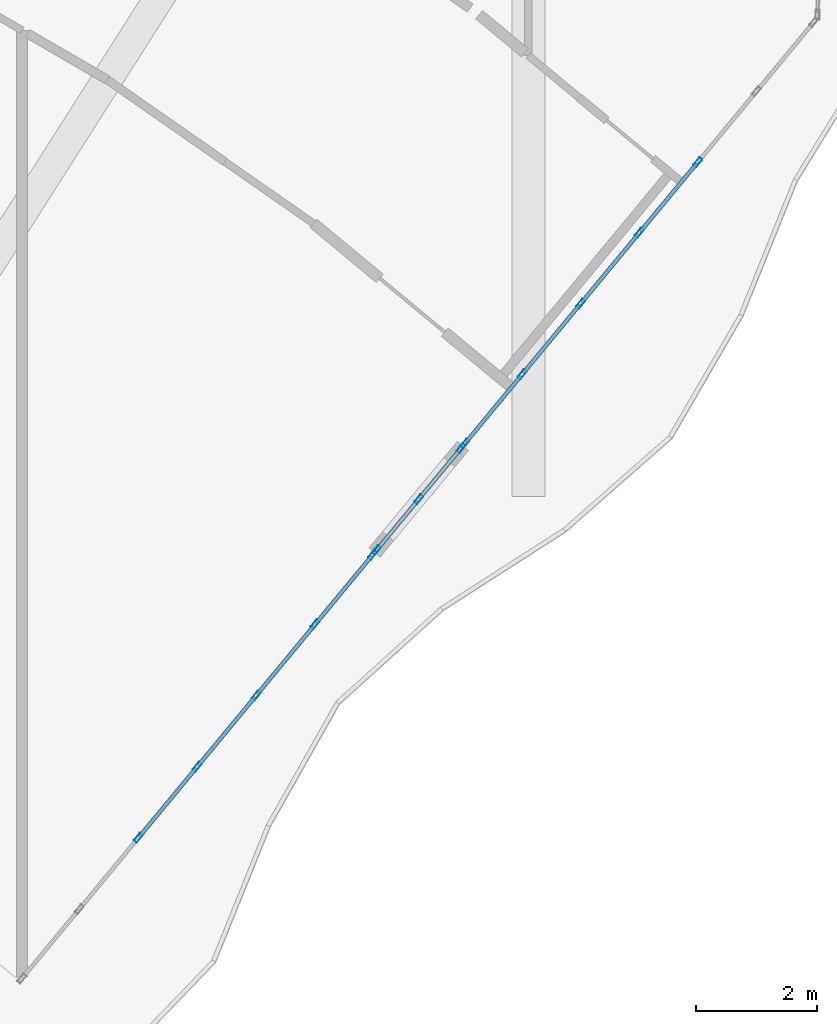
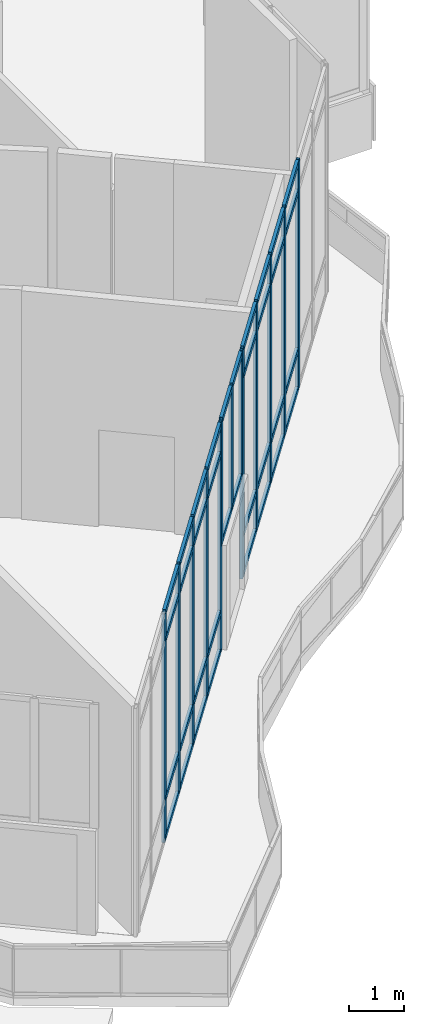
# One storey, part 100 of 158: 49 members, 3 elements without a shape of their own.
"""IFC4 building model written with IfcOpenShell, lengths in metres."""

from ifc_helpers import new_model, si_unit, direction, frame, origin, origin_2d, place, context, subcontext, project, spatial, hollow_rectangle, extrude, material, material_profile, profile_set, type_object, element, aggregate, save


model = new_model("IFC4")

# Units and contexts
model_context = context("Model", 3, precision=1e-05, world=origin(), true_north=direction((0.0, 1.0)))
body_context = subcontext(model_context, "Body", "Model", "MODEL_VIEW")
ifc_project = project(units=[si_unit("LENGTHUNIT", "METRE"), si_unit("AREAUNIT", "SQUARE_METRE"), si_unit("VOLUMEUNIT", "CUBIC_METRE"), si_unit("PLANEANGLEUNIT", "RADIAN"), si_unit("MASSUNIT", "GRAM", prefix="KILO")], contexts=[model_context])

# Site, building, storey
site_placement = place(None, origin())
site = spatial("IfcSite", under=ifc_project, at=site_placement, CompositionType="ELEMENT")
building_placement = place(site_placement, origin())
building = spatial("IfcBuilding", under=site, at=building_placement, Name="Selatvlak General Hospital", CompositionType="ELEMENT")
storey_placement = place(building_placement, origin())
storey = spatial("IfcBuildingStorey", under=building, at=storey_placement, Name="L00", CompositionType="ELEMENT", Elevation=0.0)

# Curtain wall, members
ifc_material_1 = material(Name="Solar-control Low-E double glazing", Category="glass")
curtain_wall_type_1 = type_object("IfcCurtainWallType", Name="CW-CW-02", PredefinedType="USERDEFINED", material=ifc_material_1)
curtain_wall_1_placement = place(storey_placement, origin())
curtain_wall_1 = element("IfcCurtainWall", 1, at=curtain_wall_1_placement, inside=storey, type_object=curtain_wall_type_1, Name="Glazed facade curtain wall CW-L00-0020", ObjectType="UNITISED CURTAIN WALL", PredefinedType="USERDEFINED")
ifc_material_2 = material(Name="Dark anodised aluminium mullion", Category="aluminium")
ifc_material_profile_1 = material_profile(ifc_material_2, hollow_rectangle(XDim=0.06494140625, YDim=0.159912109375, WallThickness=0.00390625, at=origin_2d()), Name="AL-MUL 65x160x4")
ifc_profile_set_1 = profile_set([ifc_material_profile_1], Name="Dark anodised aluminium mullion")
member_type_1 = type_object("IfcMemberType", Name="CWM-01", PredefinedType="MULLION", material=ifc_profile_set_1)
member_1_placement = place(storey_placement, frame((172.88427734375, 52.804931640625, 2.320068359375), z_axis=(0.0, 0.0, 1.0), x_axis=(0.770132930655, -0.6378834291, 0.0)))
member_1 = element("IfcMember", 2, at=member_1_placement, type_object=member_type_1, Name="CW-02 mullion 1", PredefinedType="MULLION", context=body_context, shape_type="SweptSolid", body=[
    extrude(hollow_rectangle(XDim=0.06494140625, YDim=0.159912109375, WallThickness=0.00390625, at=origin_2d()), origin(), (0.0, 0.0, 1.0), 2.760009765625),
])
member_2_placement = place(storey_placement, frame((172.181396484375, 51.95654296875, 2.320068359375), z_axis=(0.0, 0.0, 1.0), x_axis=(0.770132930655, -0.6378834291, 0.0)))
member_2 = element("IfcMember", 3, at=member_2_placement, type_object=member_type_1, Name="CW-02 mullion 2", PredefinedType="MULLION", context=body_context, shape_type="SweptSolid", body=[
    extrude(hollow_rectangle(XDim=0.06494140625, YDim=0.159912109375, WallThickness=0.00390625, at=origin_2d()), origin(), (0.0, 0.0, 1.0), 2.760009765625),
])
member_3_placement = place(storey_placement, frame((171.478759765625, 51.10791015625, 2.320068359375), z_axis=(0.0, 0.0, 1.0), x_axis=(0.770132930655, -0.6378834291, 0.0)))
member_3 = element("IfcMember", 4, at=member_3_placement, type_object=member_type_1, Name="CW-02 mullion 3", PredefinedType="MULLION", context=body_context, shape_type="SweptSolid", body=[
    extrude(hollow_rectangle(XDim=0.06494140625, YDim=0.159912109375, WallThickness=0.00390625, at=origin_2d()), origin(), (0.0, 0.0, 1.0), 2.760009765625),
])

curtain_wall_type_2 = type_object("IfcCurtainWallType", Name="CW-CW-01", PredefinedType="USERDEFINED", material=ifc_material_1)
curtain_wall_2_placement = place(storey_placement, origin())
curtain_wall_2 = element("IfcCurtainWall", 5, at=curtain_wall_2_placement, inside=storey, type_object=curtain_wall_type_2, Name="Glazed facade curtain wall CW-L00-0021", ObjectType="UNITISED CURTAIN WALL", PredefinedType="USERDEFINED")
member_4_placement = place(storey_placement, frame((176.813720703125, 57.55078125, 0.0), z_axis=(0.0, 0.0, 1.0), x_axis=(0.770251713592, -0.637739992245, 0.0)))
member_4 = element("IfcMember", 6, at=member_4_placement, type_object=member_type_1, Name="CW-01 mullion 3", PredefinedType="MULLION", context=body_context, shape_type="SweptSolid", body=[
    extrude(hollow_rectangle(XDim=0.06494140625, YDim=0.159912109375, WallThickness=0.00390625, at=origin_2d()), origin(), (0.0, 0.0, 1.0), 5.080078125),
])
member_5_placement = place(storey_placement, frame((175.841552734375, 56.37646484375, 0.0), z_axis=(0.0, 0.0, 1.0), x_axis=(0.770251713592, -0.637739992245, 0.0)))
member_5 = element("IfcMember", 7, at=member_5_placement, type_object=member_type_1, Name="CW-01 mullion 4", PredefinedType="MULLION", context=body_context, shape_type="SweptSolid", body=[
    extrude(hollow_rectangle(XDim=0.06494140625, YDim=0.159912109375, WallThickness=0.00390625, at=origin_2d()), origin(), (0.0, 0.0, 1.0), 5.080078125),
])
member_6_placement = place(storey_placement, frame((174.869384765625, 55.202392578125, 0.0), z_axis=(0.0, 0.0, 1.0), x_axis=(0.770251713592, -0.637739992245, 0.0)))
member_6 = element("IfcMember", 8, at=member_6_placement, type_object=member_type_1, Name="CW-01 mullion 5", PredefinedType="MULLION", context=body_context, shape_type="SweptSolid", body=[
    extrude(hollow_rectangle(XDim=0.06494140625, YDim=0.159912109375, WallThickness=0.00390625, at=origin_2d()), origin(), (0.0, 0.0, 1.0), 5.080078125),
])
member_7_placement = place(storey_placement, frame((173.897216796875, 54.028076171875, 0.0), z_axis=(0.0, 0.0, 1.0), x_axis=(0.770251713592, -0.637739992245, 0.0)))
member_7 = element("IfcMember", 9, at=member_7_placement, type_object=member_type_1, Name="CW-01 mullion 6", PredefinedType="MULLION", context=body_context, shape_type="SweptSolid", body=[
    extrude(hollow_rectangle(XDim=0.06494140625, YDim=0.159912109375, WallThickness=0.00390625, at=origin_2d()), origin(), (0.0, 0.0, 1.0), 5.080078125),
])
member_8_placement = place(storey_placement, frame((172.94580078125, 52.879150390625, 0.0), z_axis=(0.0, 0.0, 1.0), x_axis=(0.770251713592, -0.637739992245, 0.0)))
member_8 = element("IfcMember", 10, at=member_8_placement, type_object=member_type_1, Name="CW-01 mullion 7", PredefinedType="MULLION", context=body_context, shape_type="SweptSolid", body=[
    extrude(hollow_rectangle(XDim=0.06494140625, YDim=0.159912109375, WallThickness=0.00390625, at=origin_2d()), origin(), (0.0, 0.0, 1.0), 5.080078125),
])

curtain_wall_3_placement = place(storey_placement, origin())
curtain_wall_3 = element("IfcCurtainWall", 11, at=curtain_wall_3_placement, inside=storey, type_object=curtain_wall_type_2, Name="Glazed facade curtain wall CW-L00-0022", ObjectType="UNITISED CURTAIN WALL", PredefinedType="USERDEFINED")
member_9_placement = place(storey_placement, frame((171.417236328125, 51.033935546875, 0.0), z_axis=(0.0, 0.0, 1.0), x_axis=(0.770267232802, -0.637721247938, 0.0)))
member_9 = element("IfcMember", 12, at=member_9_placement, type_object=member_type_1, Name="CW-01 mullion 1", PredefinedType="MULLION", context=body_context, shape_type="SweptSolid", body=[
    extrude(hollow_rectangle(XDim=0.06494140625, YDim=0.159912109375, WallThickness=0.00390625, at=origin_2d()), origin(), (0.0, 0.0, 1.0), 5.080078125),
])
member_10_placement = place(storey_placement, frame((170.46044921875, 49.87841796875, 0.0), z_axis=(0.0, 0.0, 1.0), x_axis=(0.770267232802, -0.637721247938, 0.0)))
member_10 = element("IfcMember", 13, at=member_10_placement, type_object=member_type_1, Name="CW-01 mullion 2", PredefinedType="MULLION", context=body_context, shape_type="SweptSolid", body=[
    extrude(hollow_rectangle(XDim=0.06494140625, YDim=0.159912109375, WallThickness=0.00390625, at=origin_2d()), origin(), (0.0, 0.0, 1.0), 5.080078125),
])
member_11_placement = place(storey_placement, frame((169.48291015625, 48.69775390625, 0.0), z_axis=(0.0, 0.0, 1.0), x_axis=(0.770267232802, -0.637721247938, 0.0)))
member_11 = element("IfcMember", 14, at=member_11_placement, type_object=member_type_1, Name="CW-01 mullion 3", PredefinedType="MULLION", context=body_context, shape_type="SweptSolid", body=[
    extrude(hollow_rectangle(XDim=0.06494140625, YDim=0.159912109375, WallThickness=0.00390625, at=origin_2d()), origin(), (0.0, 0.0, 1.0), 5.080078125),
])
member_12_placement = place(storey_placement, frame((168.505615234375, 47.51708984375, 0.0), z_axis=(0.0, 0.0, 1.0), x_axis=(0.770267232802, -0.637721247938, 0.0)))
member_12 = element("IfcMember", 15, at=member_12_placement, type_object=member_type_1, Name="CW-01 mullion 4", PredefinedType="MULLION", context=body_context, shape_type="SweptSolid", body=[
    extrude(hollow_rectangle(XDim=0.06494140625, YDim=0.159912109375, WallThickness=0.00390625, at=origin_2d()), origin(), (0.0, 0.0, 1.0), 5.080078125),
])
member_13_placement = place(storey_placement, frame((167.528076171875, 46.33642578125, 0.0), z_axis=(0.0, 0.0, 1.0), x_axis=(0.770267232802, -0.637721247938, 0.0)))
member_13 = element("IfcMember", 16, at=member_13_placement, type_object=member_type_1, Name="CW-01 mullion 5", PredefinedType="MULLION", context=body_context, shape_type="SweptSolid", body=[
    extrude(hollow_rectangle(XDim=0.06494140625, YDim=0.159912109375, WallThickness=0.00390625, at=origin_2d()), origin(), (0.0, 0.0, 1.0), 5.080078125),
])

# Member
ifc_material_profile_2 = material_profile(ifc_material_2, hollow_rectangle(XDim=0.06494140625, YDim=0.1201171875, WallThickness=0.00390625, at=origin_2d()), Name="AL-TRN 65x120x4")
ifc_profile_set_2 = profile_set([ifc_material_profile_2], Name="Dark anodised aluminium mullion")
member_type_2 = type_object("IfcMemberType", Name="CWT-01", PredefinedType="USERDEFINED", material=ifc_profile_set_2)
member_14_placement = place(storey_placement, frame((172.863525390625, 52.780029296875, 2.3525390625), z_axis=(-0.637842341056, -0.770166961091, 0.0), x_axis=(0.770166961091, -0.637842341056, 0.0)))
member_14 = element("IfcMember", 17, at=member_14_placement, type_object=member_type_2, Name="CW-02 transom 1.1", ObjectType="TRANSOM", PredefinedType="USERDEFINED", context=body_context, shape_type="SweptSolid", body=[
    extrude(hollow_rectangle(XDim=0.06494140625, YDim=0.1201171875, WallThickness=0.00390625, at=origin_2d()), origin(), (0.0, 0.0, 1.0), 1.036865234375),
])

member_15_placement = place(storey_placement, frame((172.863525390625, 52.780029296875, 5.047607421875), z_axis=(-0.637842341056, -0.770166961091, 0.0), x_axis=(0.770166961091, -0.637842341056, 0.0)))
member_15 = element("IfcMember", 18, at=member_15_placement, type_object=member_type_2, Name="CW-02 transom 1.2", ObjectType="TRANSOM", PredefinedType="USERDEFINED", context=body_context, shape_type="SweptSolid", body=[
    extrude(hollow_rectangle(XDim=0.06494140625, YDim=0.1201171875, WallThickness=0.00390625, at=origin_2d()), origin(), (0.0, 0.0, 1.0), 1.036865234375),
])

member_16_placement = place(storey_placement, frame((172.160888671875, 51.931396484375, 2.3525390625), z_axis=(-0.637958019999, -0.770071142635, 0.0), x_axis=(0.770071142635, -0.637958019999, 0.0)))
member_16 = element("IfcMember", 19, at=member_16_placement, type_object=member_type_2, Name="CW-02 transom 2.1", ObjectType="TRANSOM", PredefinedType="USERDEFINED", context=body_context, shape_type="SweptSolid", body=[
    extrude(hollow_rectangle(XDim=0.06494140625, YDim=0.1201171875, WallThickness=0.00390625, at=origin_2d()), origin(), (0.0, 0.0, 1.0), 1.03662109375),
])

member_17_placement = place(storey_placement, frame((172.160888671875, 51.931396484375, 5.047607421875), z_axis=(-0.637958019999, -0.770071142635, 0.0), x_axis=(0.770071142635, -0.637958019999, 0.0)))
member_17 = element("IfcMember", 20, at=member_17_placement, type_object=member_type_2, Name="CW-02 transom 2.2", ObjectType="TRANSOM", PredefinedType="USERDEFINED", context=body_context, shape_type="SweptSolid", body=[
    extrude(hollow_rectangle(XDim=0.06494140625, YDim=0.1201171875, WallThickness=0.00390625, at=origin_2d()), origin(), (0.0, 0.0, 1.0), 1.03662109375),
])

aggregate(curtain_wall_1, [member_1, member_2, member_3, member_14, member_15, member_16, member_17])

member_18_placement = place(storey_placement, frame((176.79296875, 57.525634765625, 0.032470703125), z_axis=(-0.637745740525, -0.770246954192, 0.0), x_axis=(0.770246954192, -0.637745740525, 0.0)))
member_18 = element("IfcMember", 21, at=member_18_placement, type_object=member_type_2, Name="CW-01 transom 3.1", ObjectType="TRANSOM", PredefinedType="USERDEFINED", context=body_context, shape_type="SweptSolid", body=[
    extrude(hollow_rectangle(XDim=0.06494140625, YDim=0.1201171875, WallThickness=0.00390625, at=origin_2d()), origin(), (0.0, 0.0, 1.0), 1.459228515625),
])

member_19_placement = place(storey_placement, frame((176.79296875, 57.525634765625, 0.89990234375), z_axis=(-0.637745740525, -0.770246954192, 0.0), x_axis=(0.770246954192, -0.637745740525, 0.0)))
member_19 = element("IfcMember", 22, at=member_19_placement, type_object=member_type_2, Name="CW-01 transom 3.2", ObjectType="TRANSOM", PredefinedType="USERDEFINED", context=body_context, shape_type="SweptSolid", body=[
    extrude(hollow_rectangle(XDim=0.06494140625, YDim=0.1201171875, WallThickness=0.00390625, at=origin_2d()), origin(), (0.0, 0.0, 1.0), 1.459228515625),
])

member_20_placement = place(storey_placement, frame((176.79296875, 57.525634765625, 4.429931640625), z_axis=(-0.637745740525, -0.770246954192, 0.0), x_axis=(0.770246954192, -0.637745740525, 0.0)))
member_20 = element("IfcMember", 23, at=member_20_placement, type_object=member_type_2, Name="CW-01 transom 3.3", ObjectType="TRANSOM", PredefinedType="USERDEFINED", context=body_context, shape_type="SweptSolid", body=[
    extrude(hollow_rectangle(XDim=0.06494140625, YDim=0.1201171875, WallThickness=0.00390625, at=origin_2d()), origin(), (0.0, 0.0, 1.0), 1.459228515625),
])

member_21_placement = place(storey_placement, frame((176.79296875, 57.525634765625, 5.047607421875), z_axis=(-0.637745740525, -0.770246954192, 0.0), x_axis=(0.770246954192, -0.637745740525, 0.0)))
member_21 = element("IfcMember", 24, at=member_21_placement, type_object=member_type_2, Name="CW-01 transom 3.4", ObjectType="TRANSOM", PredefinedType="USERDEFINED", context=body_context, shape_type="SweptSolid", body=[
    extrude(hollow_rectangle(XDim=0.06494140625, YDim=0.1201171875, WallThickness=0.00390625, at=origin_2d()), origin(), (0.0, 0.0, 1.0), 1.459228515625),
])

member_22_placement = place(storey_placement, frame((175.82080078125, 56.3515625, 0.032470703125), z_axis=(-0.637663566332, -0.770314985037, 0.0), x_axis=(0.770314985037, -0.637663566332, 0.0)))
member_22 = element("IfcMember", 25, at=member_22_placement, type_object=member_type_2, Name="CW-01 transom 4.1", ObjectType="TRANSOM", PredefinedType="USERDEFINED", context=body_context, shape_type="SweptSolid", body=[
    extrude(hollow_rectangle(XDim=0.06494140625, YDim=0.1201171875, WallThickness=0.00390625, at=origin_2d()), origin(), (0.0, 0.0, 1.0), 1.45947265625),
])

member_23_placement = place(storey_placement, frame((175.82080078125, 56.3515625, 0.89990234375), z_axis=(-0.637663566332, -0.770314985037, 0.0), x_axis=(0.770314985037, -0.637663566332, 0.0)))
member_23 = element("IfcMember", 26, at=member_23_placement, type_object=member_type_2, Name="CW-01 transom 4.2", ObjectType="TRANSOM", PredefinedType="USERDEFINED", context=body_context, shape_type="SweptSolid", body=[
    extrude(hollow_rectangle(XDim=0.06494140625, YDim=0.1201171875, WallThickness=0.00390625, at=origin_2d()), origin(), (0.0, 0.0, 1.0), 1.45947265625),
])

member_24_placement = place(storey_placement, frame((175.82080078125, 56.3515625, 4.429931640625), z_axis=(-0.637663566332, -0.770314985037, 0.0), x_axis=(0.770314985037, -0.637663566332, 0.0)))
member_24 = element("IfcMember", 27, at=member_24_placement, type_object=member_type_2, Name="CW-01 transom 4.3", ObjectType="TRANSOM", PredefinedType="USERDEFINED", context=body_context, shape_type="SweptSolid", body=[
    extrude(hollow_rectangle(XDim=0.06494140625, YDim=0.1201171875, WallThickness=0.00390625, at=origin_2d()), origin(), (0.0, 0.0, 1.0), 1.45947265625),
])

member_25_placement = place(storey_placement, frame((175.82080078125, 56.3515625, 5.047607421875), z_axis=(-0.637663566332, -0.770314985037, 0.0), x_axis=(0.770314985037, -0.637663566332, 0.0)))
member_25 = element("IfcMember", 28, at=member_25_placement, type_object=member_type_2, Name="CW-01 transom 4.4", ObjectType="TRANSOM", PredefinedType="USERDEFINED", context=body_context, shape_type="SweptSolid", body=[
    extrude(hollow_rectangle(XDim=0.06494140625, YDim=0.1201171875, WallThickness=0.00390625, at=origin_2d()), origin(), (0.0, 0.0, 1.0), 1.45947265625),
])

member_26_placement = place(storey_placement, frame((174.8486328125, 55.17724609375, 0.032470703125), z_axis=(-0.637745740525, -0.770246954192, 0.0), x_axis=(0.770246954192, -0.637745740525, 0.0)))
member_26 = element("IfcMember", 29, at=member_26_placement, type_object=member_type_2, Name="CW-01 transom 5.1", ObjectType="TRANSOM", PredefinedType="USERDEFINED", context=body_context, shape_type="SweptSolid", body=[
    extrude(hollow_rectangle(XDim=0.06494140625, YDim=0.1201171875, WallThickness=0.00390625, at=origin_2d()), origin(), (0.0, 0.0, 1.0), 1.459228515625),
])

member_27_placement = place(storey_placement, frame((174.8486328125, 55.17724609375, 0.89990234375), z_axis=(-0.637745740525, -0.770246954192, 0.0), x_axis=(0.770246954192, -0.637745740525, 0.0)))
member_27 = element("IfcMember", 30, at=member_27_placement, type_object=member_type_2, Name="CW-01 transom 5.2", ObjectType="TRANSOM", PredefinedType="USERDEFINED", context=body_context, shape_type="SweptSolid", body=[
    extrude(hollow_rectangle(XDim=0.06494140625, YDim=0.1201171875, WallThickness=0.00390625, at=origin_2d()), origin(), (0.0, 0.0, 1.0), 1.459228515625),
])

member_28_placement = place(storey_placement, frame((174.8486328125, 55.17724609375, 4.429931640625), z_axis=(-0.637745740525, -0.770246954192, 0.0), x_axis=(0.770246954192, -0.637745740525, 0.0)))
member_28 = element("IfcMember", 31, at=member_28_placement, type_object=member_type_2, Name="CW-01 transom 5.3", ObjectType="TRANSOM", PredefinedType="USERDEFINED", context=body_context, shape_type="SweptSolid", body=[
    extrude(hollow_rectangle(XDim=0.06494140625, YDim=0.1201171875, WallThickness=0.00390625, at=origin_2d()), origin(), (0.0, 0.0, 1.0), 1.459228515625),
])

member_29_placement = place(storey_placement, frame((174.8486328125, 55.17724609375, 5.047607421875), z_axis=(-0.637745740525, -0.770246954192, 0.0), x_axis=(0.770246954192, -0.637745740525, 0.0)))
member_29 = element("IfcMember", 32, at=member_29_placement, type_object=member_type_2, Name="CW-01 transom 5.4", ObjectType="TRANSOM", PredefinedType="USERDEFINED", context=body_context, shape_type="SweptSolid", body=[
    extrude(hollow_rectangle(XDim=0.06494140625, YDim=0.1201171875, WallThickness=0.00390625, at=origin_2d()), origin(), (0.0, 0.0, 1.0), 1.459228515625),
])

member_30_placement = place(storey_placement, frame((173.87646484375, 54.003173828125, 0.032470703125), z_axis=(-0.637690265355, -0.770292882916, 0.0), x_axis=(0.770292882916, -0.637690265355, 0.0)))
member_30 = element("IfcMember", 33, at=member_30_placement, type_object=member_type_2, Name="CW-01 transom 6.1", ObjectType="TRANSOM", PredefinedType="USERDEFINED", context=body_context, shape_type="SweptSolid", body=[
    extrude(hollow_rectangle(XDim=0.06494140625, YDim=0.1201171875, WallThickness=0.00390625, at=origin_2d()), origin(), (0.0, 0.0, 1.0), 1.427001953125),
])

member_31_placement = place(storey_placement, frame((173.87646484375, 54.003173828125, 0.89990234375), z_axis=(-0.637690265355, -0.770292882916, 0.0), x_axis=(0.770292882916, -0.637690265355, 0.0)))
member_31 = element("IfcMember", 34, at=member_31_placement, type_object=member_type_2, Name="CW-01 transom 6.2", ObjectType="TRANSOM", PredefinedType="USERDEFINED", context=body_context, shape_type="SweptSolid", body=[
    extrude(hollow_rectangle(XDim=0.06494140625, YDim=0.1201171875, WallThickness=0.00390625, at=origin_2d()), origin(), (0.0, 0.0, 1.0), 1.427001953125),
])

member_32_placement = place(storey_placement, frame((173.87646484375, 54.003173828125, 4.429931640625), z_axis=(-0.637690265355, -0.770292882916, 0.0), x_axis=(0.770292882916, -0.637690265355, 0.0)))
member_32 = element("IfcMember", 35, at=member_32_placement, type_object=member_type_2, Name="CW-01 transom 6.3", ObjectType="TRANSOM", PredefinedType="USERDEFINED", context=body_context, shape_type="SweptSolid", body=[
    extrude(hollow_rectangle(XDim=0.06494140625, YDim=0.1201171875, WallThickness=0.00390625, at=origin_2d()), origin(), (0.0, 0.0, 1.0), 1.427001953125),
])

member_33_placement = place(storey_placement, frame((173.87646484375, 54.003173828125, 5.047607421875), z_axis=(-0.637690265355, -0.770292882916, 0.0), x_axis=(0.770292882916, -0.637690265355, 0.0)))
member_33 = element("IfcMember", 36, at=member_33_placement, type_object=member_type_2, Name="CW-01 transom 6.4", ObjectType="TRANSOM", PredefinedType="USERDEFINED", context=body_context, shape_type="SweptSolid", body=[
    extrude(hollow_rectangle(XDim=0.06494140625, YDim=0.1201171875, WallThickness=0.00390625, at=origin_2d()), origin(), (0.0, 0.0, 1.0), 1.427001953125),
])

aggregate(curtain_wall_2, [member_4, member_5, member_6, member_7, member_8, member_18, member_19, member_20, member_21, member_22, member_23, member_24, member_25, member_26, member_27, member_28, member_29, member_30, member_31, member_32, member_33])

member_34_placement = place(storey_placement, frame((171.396484375, 51.009033203125, 0.032470703125), z_axis=(-0.637654733819, -0.77032229647, 0.0), x_axis=(0.77032229647, -0.637654733819, 0.0)))
member_34 = element("IfcMember", 37, at=member_34_placement, type_object=member_type_2, Name="CW-01 transom 1.1", ObjectType="TRANSOM", PredefinedType="USERDEFINED", context=body_context, shape_type="SweptSolid", body=[
    extrude(hollow_rectangle(XDim=0.06494140625, YDim=0.1201171875, WallThickness=0.00390625, at=origin_2d()), origin(), (0.0, 0.0, 1.0), 1.435302734375),
])

member_35_placement = place(storey_placement, frame((171.396484375, 51.009033203125, 0.89990234375), z_axis=(-0.637654733819, -0.77032229647, 0.0), x_axis=(0.77032229647, -0.637654733819, 0.0)))
member_35 = element("IfcMember", 38, at=member_35_placement, type_object=member_type_2, Name="CW-01 transom 1.2", ObjectType="TRANSOM", PredefinedType="USERDEFINED", context=body_context, shape_type="SweptSolid", body=[
    extrude(hollow_rectangle(XDim=0.06494140625, YDim=0.1201171875, WallThickness=0.00390625, at=origin_2d()), origin(), (0.0, 0.0, 1.0), 1.435302734375),
])

member_36_placement = place(storey_placement, frame((171.396484375, 51.009033203125, 4.429931640625), z_axis=(-0.637654733819, -0.77032229647, 0.0), x_axis=(0.77032229647, -0.637654733819, 0.0)))
member_36 = element("IfcMember", 39, at=member_36_placement, type_object=member_type_2, Name="CW-01 transom 1.3", ObjectType="TRANSOM", PredefinedType="USERDEFINED", context=body_context, shape_type="SweptSolid", body=[
    extrude(hollow_rectangle(XDim=0.06494140625, YDim=0.1201171875, WallThickness=0.00390625, at=origin_2d()), origin(), (0.0, 0.0, 1.0), 1.435302734375),
])

member_37_placement = place(storey_placement, frame((171.396484375, 51.009033203125, 5.047607421875), z_axis=(-0.637654733819, -0.77032229647, 0.0), x_axis=(0.77032229647, -0.637654733819, 0.0)))
member_37 = element("IfcMember", 40, at=member_37_placement, type_object=member_type_2, Name="CW-01 transom 1.4", ObjectType="TRANSOM", PredefinedType="USERDEFINED", context=body_context, shape_type="SweptSolid", body=[
    extrude(hollow_rectangle(XDim=0.06494140625, YDim=0.1201171875, WallThickness=0.00390625, at=origin_2d()), origin(), (0.0, 0.0, 1.0), 1.435302734375),
])

member_38_placement = place(storey_placement, frame((170.439697265625, 49.853271484375, 0.032470703125), z_axis=(-0.637710674404, -0.770275986742, 0.0), x_axis=(0.770275986742, -0.637710674404, 0.0)))
member_38 = element("IfcMember", 41, at=member_38_placement, type_object=member_type_2, Name="CW-01 transom 2.1", ObjectType="TRANSOM", PredefinedType="USERDEFINED", context=body_context, shape_type="SweptSolid", body=[
    extrude(hollow_rectangle(XDim=0.06494140625, YDim=0.1201171875, WallThickness=0.00390625, at=origin_2d()), origin(), (0.0, 0.0, 1.0), 1.4677734375),
])

member_39_placement = place(storey_placement, frame((170.439697265625, 49.853271484375, 0.89990234375), z_axis=(-0.637710674404, -0.770275986742, 0.0), x_axis=(0.770275986742, -0.637710674404, 0.0)))
member_39 = element("IfcMember", 42, at=member_39_placement, type_object=member_type_2, Name="CW-01 transom 2.2", ObjectType="TRANSOM", PredefinedType="USERDEFINED", context=body_context, shape_type="SweptSolid", body=[
    extrude(hollow_rectangle(XDim=0.06494140625, YDim=0.1201171875, WallThickness=0.00390625, at=origin_2d()), origin(), (0.0, 0.0, 1.0), 1.4677734375),
])

member_40_placement = place(storey_placement, frame((170.439697265625, 49.853271484375, 4.429931640625), z_axis=(-0.637710674404, -0.770275986742, 0.0), x_axis=(0.770275986742, -0.637710674404, 0.0)))
member_40 = element("IfcMember", 43, at=member_40_placement, type_object=member_type_2, Name="CW-01 transom 2.3", ObjectType="TRANSOM", PredefinedType="USERDEFINED", context=body_context, shape_type="SweptSolid", body=[
    extrude(hollow_rectangle(XDim=0.06494140625, YDim=0.1201171875, WallThickness=0.00390625, at=origin_2d()), origin(), (0.0, 0.0, 1.0), 1.4677734375),
])

member_41_placement = place(storey_placement, frame((170.439697265625, 49.853271484375, 5.047607421875), z_axis=(-0.637710674404, -0.770275986742, 0.0), x_axis=(0.770275986742, -0.637710674404, 0.0)))
member_41 = element("IfcMember", 44, at=member_41_placement, type_object=member_type_2, Name="CW-01 transom 2.4", ObjectType="TRANSOM", PredefinedType="USERDEFINED", context=body_context, shape_type="SweptSolid", body=[
    extrude(hollow_rectangle(XDim=0.06494140625, YDim=0.1201171875, WallThickness=0.00390625, at=origin_2d()), origin(), (0.0, 0.0, 1.0), 1.4677734375),
])

member_42_placement = place(storey_placement, frame((169.462158203125, 48.672607421875, 0.032470703125), z_axis=(-0.637710674404, -0.770275986742, 0.0), x_axis=(0.770275986742, -0.637710674404, 0.0)))
member_42 = element("IfcMember", 45, at=member_42_placement, type_object=member_type_2, Name="CW-01 transom 3.1", ObjectType="TRANSOM", PredefinedType="USERDEFINED", context=body_context, shape_type="SweptSolid", body=[
    extrude(hollow_rectangle(XDim=0.06494140625, YDim=0.1201171875, WallThickness=0.00390625, at=origin_2d()), origin(), (0.0, 0.0, 1.0), 1.4677734375),
])

member_43_placement = place(storey_placement, frame((169.462158203125, 48.672607421875, 0.89990234375), z_axis=(-0.637710674404, -0.770275986742, 0.0), x_axis=(0.770275986742, -0.637710674404, 0.0)))
member_43 = element("IfcMember", 46, at=member_43_placement, type_object=member_type_2, Name="CW-01 transom 3.2", ObjectType="TRANSOM", PredefinedType="USERDEFINED", context=body_context, shape_type="SweptSolid", body=[
    extrude(hollow_rectangle(XDim=0.06494140625, YDim=0.1201171875, WallThickness=0.00390625, at=origin_2d()), origin(), (0.0, 0.0, 1.0), 1.4677734375),
])

member_44_placement = place(storey_placement, frame((169.462158203125, 48.672607421875, 4.429931640625), z_axis=(-0.637710674404, -0.770275986742, 0.0), x_axis=(0.770275986742, -0.637710674404, 0.0)))
member_44 = element("IfcMember", 47, at=member_44_placement, type_object=member_type_2, Name="CW-01 transom 3.3", ObjectType="TRANSOM", PredefinedType="USERDEFINED", context=body_context, shape_type="SweptSolid", body=[
    extrude(hollow_rectangle(XDim=0.06494140625, YDim=0.1201171875, WallThickness=0.00390625, at=origin_2d()), origin(), (0.0, 0.0, 1.0), 1.4677734375),
])

member_45_placement = place(storey_placement, frame((169.462158203125, 48.672607421875, 5.047607421875), z_axis=(-0.637710674404, -0.770275986742, 0.0), x_axis=(0.770275986742, -0.637710674404, 0.0)))
member_45 = element("IfcMember", 48, at=member_45_placement, type_object=member_type_2, Name="CW-01 transom 3.4", ObjectType="TRANSOM", PredefinedType="USERDEFINED", context=body_context, shape_type="SweptSolid", body=[
    extrude(hollow_rectangle(XDim=0.06494140625, YDim=0.1201171875, WallThickness=0.00390625, at=origin_2d()), origin(), (0.0, 0.0, 1.0), 1.4677734375),
])

member_46_placement = place(storey_placement, frame((168.48486328125, 47.491943359375, 0.032470703125), z_axis=(-0.637710674404, -0.770275986742, 0.0), x_axis=(0.770275986742, -0.637710674404, 0.0)))
member_46 = element("IfcMember", 49, at=member_46_placement, type_object=member_type_2, Name="CW-01 transom 4.1", ObjectType="TRANSOM", PredefinedType="USERDEFINED", context=body_context, shape_type="SweptSolid", body=[
    extrude(hollow_rectangle(XDim=0.06494140625, YDim=0.1201171875, WallThickness=0.00390625, at=origin_2d()), origin(), (0.0, 0.0, 1.0), 1.4677734375),
])

member_47_placement = place(storey_placement, frame((168.48486328125, 47.491943359375, 0.89990234375), z_axis=(-0.637710674404, -0.770275986742, 0.0), x_axis=(0.770275986742, -0.637710674404, 0.0)))
member_47 = element("IfcMember", 50, at=member_47_placement, type_object=member_type_2, Name="CW-01 transom 4.2", ObjectType="TRANSOM", PredefinedType="USERDEFINED", context=body_context, shape_type="SweptSolid", body=[
    extrude(hollow_rectangle(XDim=0.06494140625, YDim=0.1201171875, WallThickness=0.00390625, at=origin_2d()), origin(), (0.0, 0.0, 1.0), 1.4677734375),
])

member_48_placement = place(storey_placement, frame((168.48486328125, 47.491943359375, 4.429931640625), z_axis=(-0.637710674404, -0.770275986742, 0.0), x_axis=(0.770275986742, -0.637710674404, 0.0)))
member_48 = element("IfcMember", 51, at=member_48_placement, type_object=member_type_2, Name="CW-01 transom 4.3", ObjectType="TRANSOM", PredefinedType="USERDEFINED", context=body_context, shape_type="SweptSolid", body=[
    extrude(hollow_rectangle(XDim=0.06494140625, YDim=0.1201171875, WallThickness=0.00390625, at=origin_2d()), origin(), (0.0, 0.0, 1.0), 1.4677734375),
])

member_49_placement = place(storey_placement, frame((168.48486328125, 47.491943359375, 5.047607421875), z_axis=(-0.637710674404, -0.770275986742, 0.0), x_axis=(0.770275986742, -0.637710674404, 0.0)))
member_49 = element("IfcMember", 52, at=member_49_placement, type_object=member_type_2, Name="CW-01 transom 4.4", ObjectType="TRANSOM", PredefinedType="USERDEFINED", context=body_context, shape_type="SweptSolid", body=[
    extrude(hollow_rectangle(XDim=0.06494140625, YDim=0.1201171875, WallThickness=0.00390625, at=origin_2d()), origin(), (0.0, 0.0, 1.0), 1.4677734375),
])

aggregate(curtain_wall_3, [member_9, member_10, member_11, member_12, member_13, member_34, member_35, member_36, member_37, member_38, member_39, member_40, member_41, member_42, member_43, member_44, member_45, member_46, member_47, member_48, member_49])

save(model, "model.ifc")
